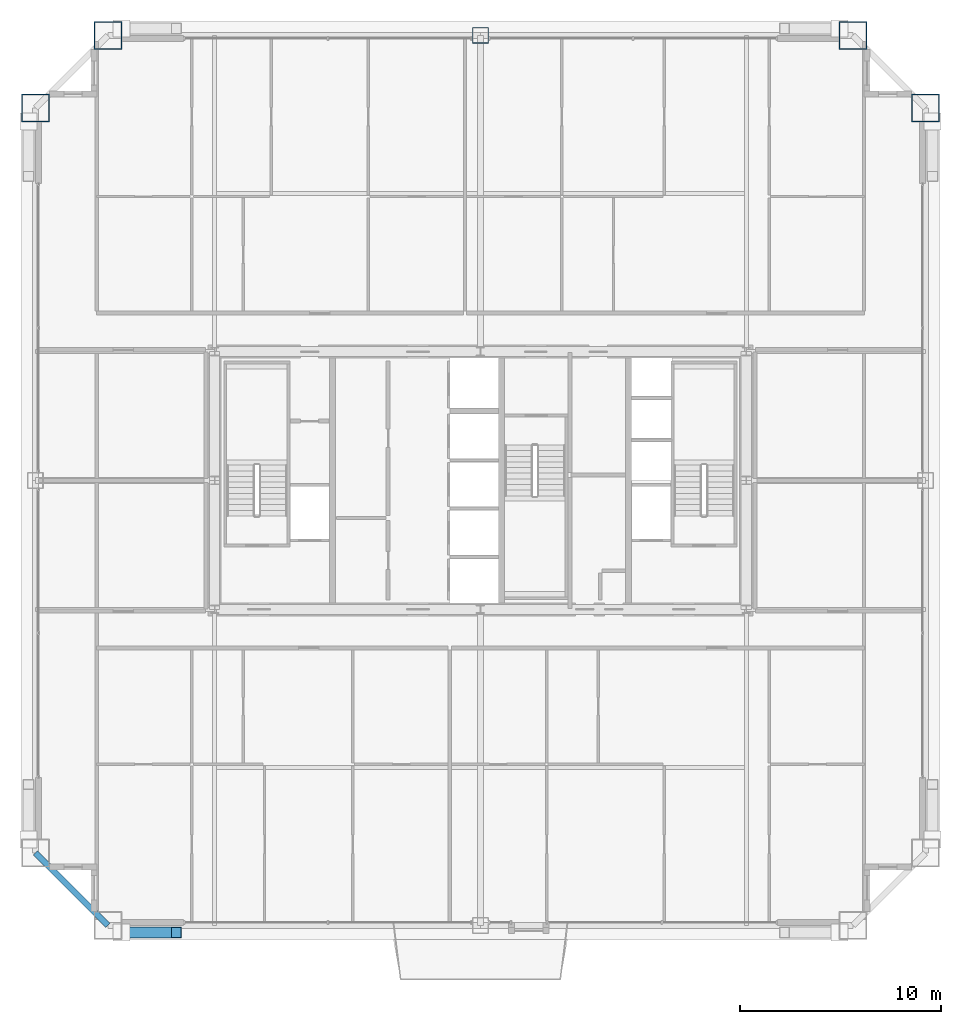
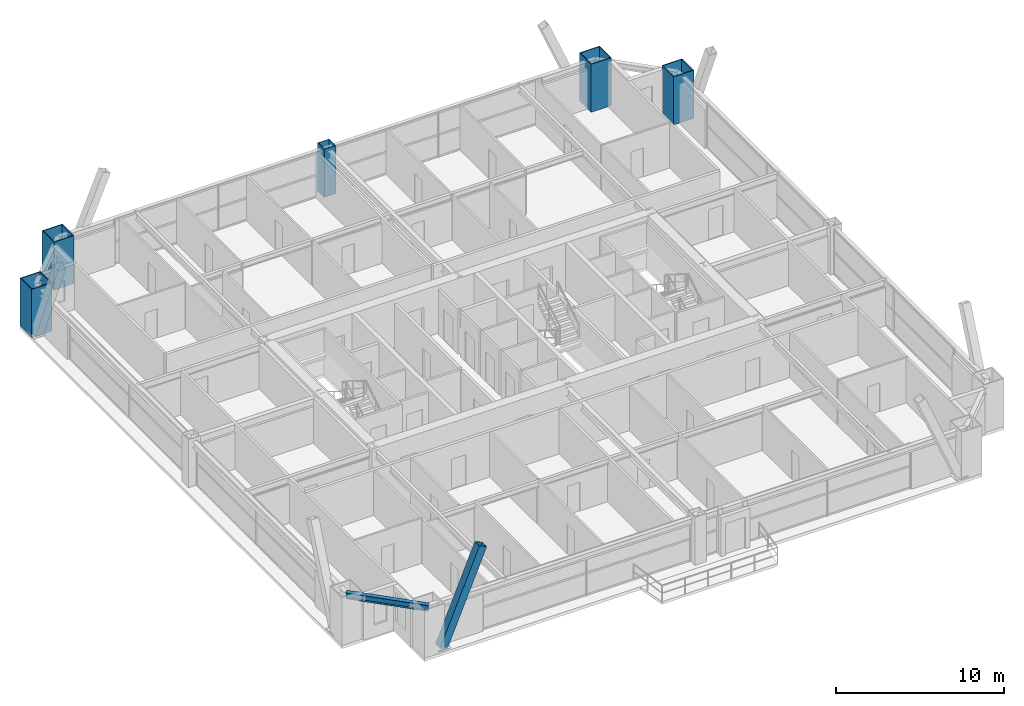
# One storey, part 3 of 45: 5 columns, 1 beam, 1 member.
"""IFC4 building model written with IfcOpenShell, lengths in metres."""

from ifc_helpers import new_model, si_unit, direction, frame, origin, origin_2d, place, context, subcontext, project, spatial, hollow_rectangle, i_section, extrude, source, transform, mapped, material, material_profile, profile_set, type_object, element, save


model = new_model("IFC4")

# Units and contexts
model_context = context("Model", 3, precision=1e-05, world=origin(), true_north=direction((0.0, 1.0)))
body_context = subcontext(model_context, "Body", "Model", "MODEL_VIEW")
ifc_project = project(units=[si_unit("LENGTHUNIT", "METRE"), si_unit("AREAUNIT", "SQUARE_METRE"), si_unit("VOLUMEUNIT", "CUBIC_METRE"), si_unit("PLANEANGLEUNIT", "RADIAN"), si_unit("MASSUNIT", "GRAM", prefix="KILO"), si_unit("THERMODYNAMICTEMPERATUREUNIT", "KELVIN"), si_unit("POWERUNIT", "WATT")], contexts=[model_context])

# Site, building, storey
site_placement = place(None, origin())
site = spatial("IfcSite", under=ifc_project, at=site_placement, CompositionType="ELEMENT")
building_placement = place(site_placement, origin())
building = spatial("IfcBuilding", under=site, at=building_placement, Name="Yuzanri Waterfront Tower", CompositionType="ELEMENT")
storey_placement = place(building_placement, frame((0.0, 0.0, 212.5)))
storey = spatial("IfcBuildingStorey", under=building, at=storey_placement, Name="L56", CompositionType="ELEMENT", Elevation=212.5)

# Columns
ifc_material_1 = material(Name="Steel Q420GJC", Category="steel")
ifc_material_profile_1 = material_profile(ifc_material_1, hollow_rectangle(XDim=1.39990234375, YDim=1.39990234375, WallThickness=0.06005859375, at=origin_2d()), Name="RHS 1400x1400x60")
ifc_profile_set_1 = profile_set([ifc_material_profile_1], Name="Steel Q420GJC")
column_type_1 = type_object("IfcColumnType", Name="Mega Column Q420GJC RHS 1400x1400x60", PredefinedType="COLUMN", material=ifc_profile_set_1)
shared_shape_1 = source(origin(), body_context, "Body", "SweptSolid", [
    extrude(hollow_rectangle(XDim=1.39990234375, YDim=1.39990234375, WallThickness=0.06005859375, at=origin_2d()), origin(), (0.0, 0.0, 1.0), 3.5),
])
for number, where, z_axis, x_axis, name in (
    (1, (18.5, 47.89990234375, 0.0), (0.0, 0.0, 1.0), (1.0, 0.0, 0.0), "L56 Perimeter Mega Column N1"),
    (2, (55.5, 47.89990234375, 0.0), (0.0, 0.0, 1.0), (1.0, 0.0, 0.0), "L56 Perimeter Mega Column N3"),
    (3, (14.89990234375, 44.300048828125, 0.0), (0.0, 0.0, 1.0), (1.0, 0.0, 0.0), "L56 Perimeter Mega Column W3"),
    (4, (59.10009765625, 44.300048828125, 0.0), (0.0, 0.0, 1.0), (1.0, 0.0, 0.0), "L56 Perimeter Mega Column E3"),
):
    element("IfcColumn", number, at=place(storey_placement, frame(where, z_axis=z_axis, x_axis=x_axis)), inside=storey, type_object=column_type_1, Name=name, PredefinedType="COLUMN", context=body_context, shape_type="MappedRepresentation", body=[
        mapped(shared_shape_1, transform((0.0, 0.0, 0.0), scale=1.0)),
    ])
ifc_material_2 = material(Name="Steel Q390GJC", Category="steel")
ifc_material_profile_2 = material_profile(ifc_material_2, hollow_rectangle(XDim=0.800048828125, YDim=0.800048828125, WallThickness=0.035888671875, at=origin_2d()), Name="RHS 800x800x36")
ifc_profile_set_2 = profile_set([ifc_material_profile_2], Name="Steel Q390GJC")
column_type_2 = type_object("IfcColumnType", Name="Frame Column Q390GJC RHS 800x800x36", PredefinedType="COLUMN", material=ifc_profile_set_2)
shared_shape_2 = source(origin(), body_context, "Body", "SweptSolid", [
    extrude(hollow_rectangle(XDim=0.800048828125, YDim=0.800048828125, WallThickness=0.035888671875, at=origin_2d()), origin(), (0.0, 0.0, 1.0), 3.5),
])
column_placement = place(storey_placement, frame((37.0, 47.89990234375, 0.0), z_axis=(0.0, 0.0, 1.0), x_axis=(1.0, 0.0, 0.0)))
element("IfcColumn", 5, at=column_placement, inside=storey, type_object=column_type_2, Name="L56 Perimeter Frame Column N2", PredefinedType="COLUMN", context=body_context, shape_type="MappedRepresentation", body=[
    mapped(shared_shape_2, transform((0.0, 0.0, 0.0), scale=1.0)),
])

# Beam
ifc_material_3 = material(Name="Steel Q355B", Category="steel")
ifc_material_profile_3 = material_profile(ifc_material_3, i_section(OverallWidth=0.300048828125, OverallDepth=0.43994140625, WebThickness=0.010986328125, FlangeThickness=0.01806640625, at=origin_2d()), Name="HM 440x300x11x18")
ifc_profile_set_3 = profile_set([ifc_material_profile_3], Name="Steel Q355B")
beam_type = type_object("IfcBeamType", Name="Perimeter Spandrel Q355B HM 440x300", PredefinedType="SPANDREL", material=ifc_profile_set_3)
shared_shape_3 = source(origin(), body_context, "Body", "SweptSolid", [
    extrude(i_section(OverallWidth=0.300048828125, OverallDepth=0.43994140625, WebThickness=0.010986328125, FlangeThickness=0.01806640625, at=origin_2d()), origin(), (0.0, 0.0, 1.0), 5.09130859375),
])
beam_placement = place(storey_placement, frame((14.89990234375, 7.300048828125, 3.06005859375), z_axis=(0.707106781187, -0.707106781187, 0.0), x_axis=(0.707106781187, 0.707106781187, 0.0)))
element("IfcBeam", 6, at=beam_placement, inside=storey, type_object=beam_type, Name="L56 Perimeter Spandrel W1-S1", PredefinedType="SPANDREL", context=body_context, shape_type="MappedRepresentation", body=[
    mapped(shared_shape_3, transform((0.0, 0.0, 0.0), scale=1.0)),
])

# Member
ifc_material_4 = material(Name="Steel Q390GJC", Category="steel")
ifc_material_profile_4 = material_profile(ifc_material_4, hollow_rectangle(XDim=0.550048828125, YDim=0.550048828125, WallThickness=0.02490234375, at=origin_2d()), Name="RHS 550x550x25")
ifc_profile_set_4 = profile_set([ifc_material_profile_4], Name="Steel Q390GJC")
member_type = type_object("IfcMemberType", Name="Mega Brace Mid Q390GJC RHS 550x550x25", PredefinedType="BRACE", material=ifc_profile_set_4)
shared_shape_4 = source(origin(), body_context, "Body", "SweptSolid", [
    extrude(hollow_rectangle(XDim=0.550048828125, YDim=0.550048828125, WallThickness=0.02490234375, at=origin_2d()), origin(), (0.0, 0.0, 1.0), 7.046142578125),
])
member_placement = place(storey_placement, frame((19.179931640625, 3.360107421875, 0.179931640625), z_axis=(0.386022211732, 0.0, 0.922489486146), x_axis=(0.0, 1.0, 0.0)))
element("IfcMember", 7, at=member_placement, inside=storey, type_object=member_type, Name="L56-L57 Perimeter Mega-Brace S-L", PredefinedType="BRACE", context=body_context, shape_type="MappedRepresentation", body=[
    mapped(shared_shape_4, transform((0.0, 0.0, 0.0), scale=1.0)),
])

save(model, "model.ifc")
